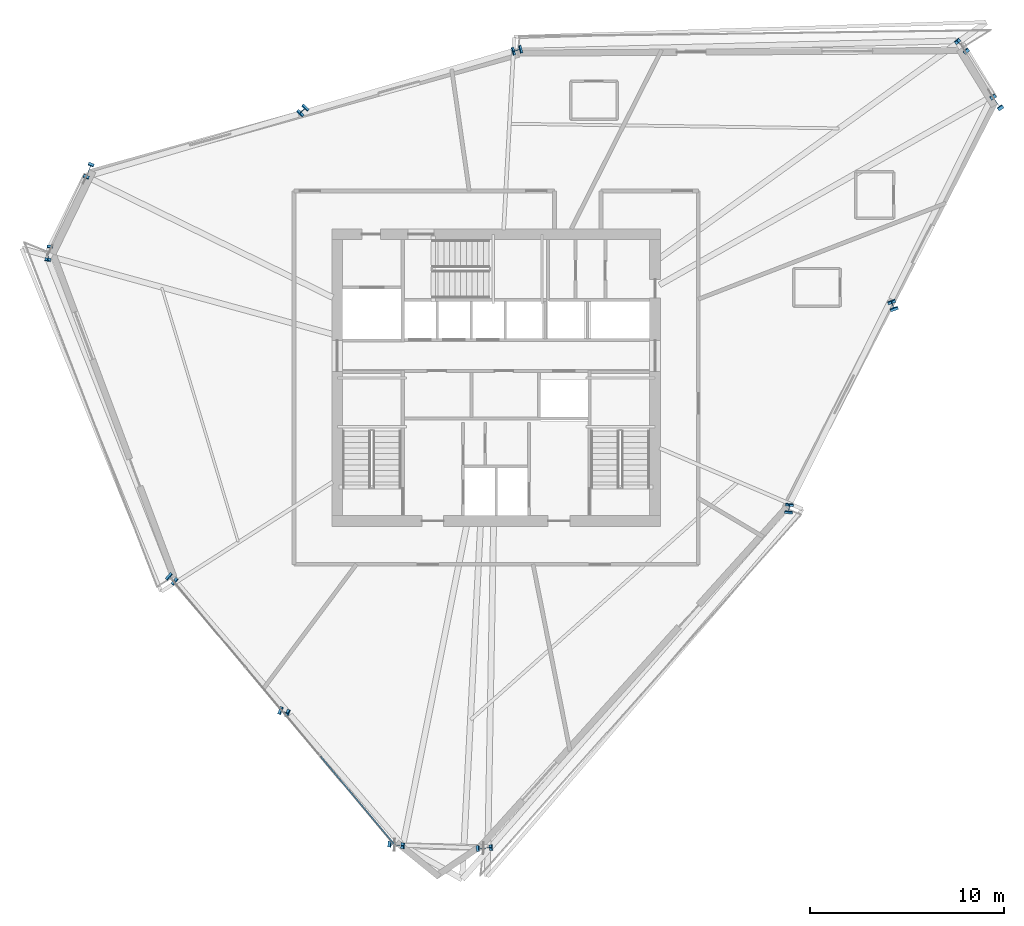
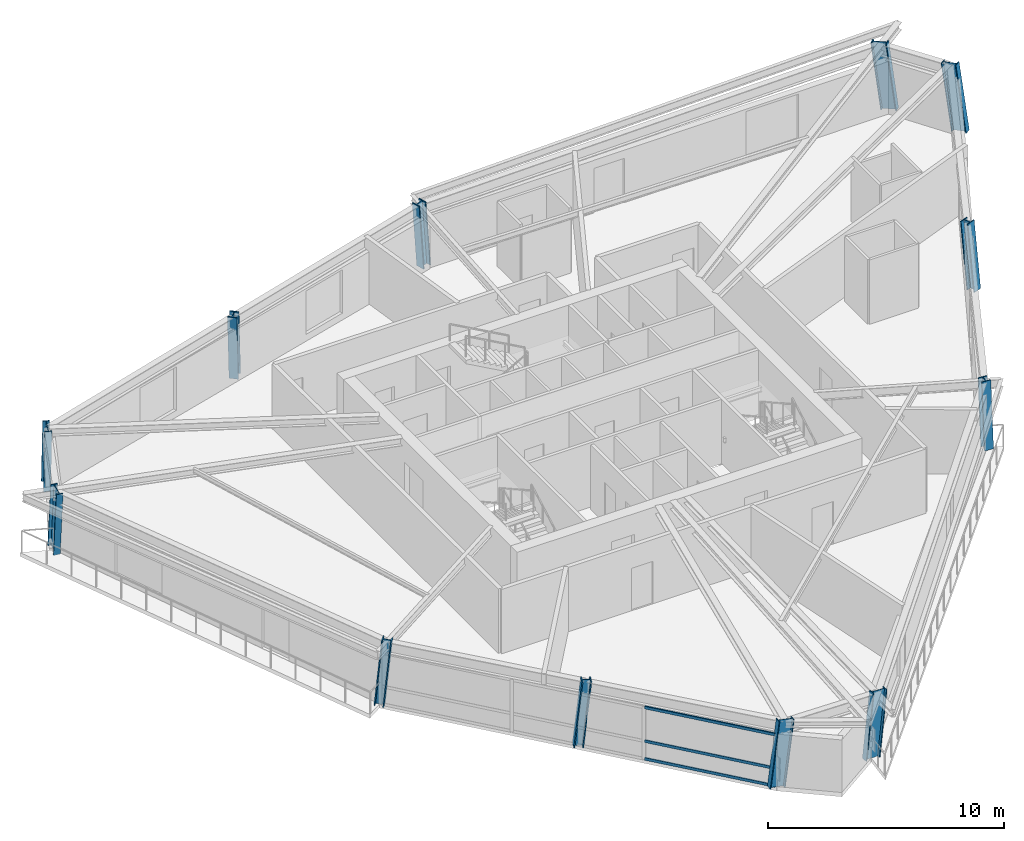
# One storey, part 1 of 15: 12 columns, 3 members, 1 element without a shape of its own.
"""IFC4 building model written with IfcOpenShell, lengths in metres."""

from ifc_helpers import new_model, si_unit, direction, frame, origin, origin_2d, place, context, subcontext, project, spatial, hollow_rectangle, i_section, extrude, source, transform, mapped, material, material_profile, profile_set, type_object, element, aggregate, save


model = new_model("IFC4")

# Units and contexts
model_context = context("Model", 3, precision=1e-05, world=origin(), true_north=direction((0.0, 1.0)))
body_context = subcontext(model_context, "Body", "Model", "MODEL_VIEW")
ifc_project = project(units=[si_unit("LENGTHUNIT", "METRE"), si_unit("AREAUNIT", "SQUARE_METRE"), si_unit("VOLUMEUNIT", "CUBIC_METRE"), si_unit("PLANEANGLEUNIT", "RADIAN"), si_unit("MASSUNIT", "GRAM", prefix="KILO")], contexts=[model_context])

# Site, building, storey
site_placement = place(None, origin())
site = spatial("IfcSite", under=ifc_project, at=site_placement, CompositionType="ELEMENT")
building_placement = place(site_placement, origin())
building = spatial("IfcBuilding", under=site, at=building_placement, Name="Olszyna Solenne Hotel", CompositionType="ELEMENT")
storey_placement = place(building_placement, frame((0.0, 0.0, 164.35009765625)))
storey = spatial("IfcBuildingStorey", under=building, at=storey_placement, Name="L43", CompositionType="ELEMENT", Elevation=164.35009765625)

# Columns
ifc_material_1 = material(Name="Steel S460M", Category="steel")
ifc_material_profile_1 = material_profile(ifc_material_1, i_section(OverallWidth=0.303955078125, OverallDepth=0.716064453125, WebThickness=0.02099609375, FlangeThickness=0.0400390625, at=origin_2d()), Name="HEM 700", Category="load-bearing")
ifc_profile_set_1 = profile_set([ifc_material_profile_1], Name="Steel S460M")
column_type_1 = type_object("IfcColumnType", Name="COL-K2", PredefinedType="COLUMN", material=ifc_profile_set_1)
shared_shape_1 = source(origin(), body_context, "Body", "SweptSolid", [
    extrude(i_section(OverallWidth=0.303955078125, OverallDepth=0.716064453125, WebThickness=0.02099609375, FlangeThickness=0.0400390625, at=origin_2d()), origin(), (0.0, 0.0, 1.0), 3.404296875),
])
column_1_placement = place(storey_placement, frame((37.331787109375, 2.393310546875, 0.0), z_axis=(0.105924766098, 0.007673628959, 0.994344537545), x_axis=(-0.07225478952, 0.997386206738, 0.0)))
element("IfcColumn", 1, at=column_1_placement, inside=storey, type_object=column_type_1, Name="Perimeter framed-tube column COL-K2 C-L43-10", PredefinedType="COLUMN", context=body_context, shape_type="MappedRepresentation", body=[
    mapped(shared_shape_1, transform((0.0, 0.0, 0.0), x_axis=(1.0, 0.0, 0.0), y_axis=(0.0, 1.0, 0.0), z_axis=(0.0, 0.0, 1.0), scale=1.0)),
])
shared_shape_2 = source(origin(), body_context, "Body", "SweptSolid", [
    extrude(i_section(OverallWidth=0.303955078125, OverallDepth=0.716064453125, WebThickness=0.02099609375, FlangeThickness=0.0400390625, at=origin_2d()), origin(), (0.0, 0.0, 1.0), 3.4189453125),
])
column_2_placement = place(storey_placement, frame((63.79833984375, 40.6865234375, 0.0), z_axis=(-0.079478787874, 0.115754820435, 0.990092896563), x_axis=(-0.824383065971, -0.566032296376, 0.0)))
element("IfcColumn", 2, at=column_2_placement, inside=storey, type_object=column_type_1, Name="Perimeter framed-tube column COL-K2 C-L43-01", PredefinedType="COLUMN", context=body_context, shape_type="MappedRepresentation", body=[
    mapped(shared_shape_2, transform((0.0, 0.0, 0.0), x_axis=(1.0, 0.0, 0.0), y_axis=(0.0, 1.0, 0.0), z_axis=(0.0, 0.0, 1.0), scale=1.0)),
])
shared_shape_3 = source(origin(), body_context, "Body", "SweptSolid", [
    extrude(i_section(OverallWidth=0.303955078125, OverallDepth=0.716064453125, WebThickness=0.02099609375, FlangeThickness=0.0400390625, at=origin_2d()), origin(), (0.0, 0.0, 1.0), 3.41455078125),
])
column_3_placement = place(storey_placement, frame((62.010986328125, 43.585693359375, 0.0), z_axis=(-0.086804146839, 0.098101556395, 0.991383439807), x_axis=(-0.748913206075, -0.662668099253, 0.0)))
element("IfcColumn", 3, at=column_3_placement, inside=storey, type_object=column_type_1, Name="Perimeter framed-tube column COL-K2 C-L43-02", PredefinedType="COLUMN", context=body_context, shape_type="MappedRepresentation", body=[
    mapped(shared_shape_3, transform((0.0, 0.0, 0.0), x_axis=(1.0, 0.0, 0.0), y_axis=(0.0, 1.0, 0.0), z_axis=(0.0, 0.0, 1.0), scale=1.0)),
])
ifc_material_profile_2 = material_profile(ifc_material_1, i_section(OverallWidth=0.412109375, OverallDepth=0.43505859375, WebThickness=0.031494140625, FlangeThickness=0.050048828125, at=origin_2d()), Name="HD 400x463", Category="load-bearing")
ifc_profile_set_2 = profile_set([ifc_material_profile_2], Name="Steel S460M")
column_type_2 = type_object("IfcColumnType", Name="COL-T3", PredefinedType="COLUMN", material=ifc_profile_set_2)
shared_shape_4 = source(origin(), body_context, "Body", "SweptSolid", [
    extrude(i_section(OverallWidth=0.412109375, OverallDepth=0.43505859375, WebThickness=0.031494140625, FlangeThickness=0.050048828125, at=origin_2d()), origin(), (0.0, 0.0, 1.0), 3.395751953125),
])
column_4_placement = place(storey_placement, frame((39.11865234375, 43.451904296875, 0.0), z_axis=(-0.076712698826, -0.020921645134, 0.996833710608), x_axis=(0.263117405792, -0.964763821238, 0.0)))
element("IfcColumn", 4, at=column_4_placement, inside=storey, type_object=column_type_2, Name="Perimeter framed-tube column COL-T3 C-L43-03", PredefinedType="COLUMN", context=body_context, shape_type="MappedRepresentation", body=[
    mapped(shared_shape_4, transform((0.0, 0.0, 0.0), x_axis=(1.0, 0.0, 0.0), y_axis=(0.0, 1.0, 0.0), z_axis=(0.0, 0.0, 1.0), scale=1.0)),
])
shared_shape_5 = source(origin(), body_context, "Body", "SweptSolid", [
    extrude(i_section(OverallWidth=0.303955078125, OverallDepth=0.716064453125, WebThickness=0.02099609375, FlangeThickness=0.0400390625, at=origin_2d()), origin(), (0.0, 0.0, 1.0), 3.4033203125),
])
column_5_placement = place(storey_placement, frame((15.00439453125, 33.060302734375, 0.0), z_axis=(-0.016571563289, -0.101940222659, 0.994652489211), x_axis=(0.987043110431, -0.160455283962, 0.0)))
element("IfcColumn", 5, at=column_5_placement, inside=storey, type_object=column_type_1, Name="Perimeter framed-tube column COL-K2 C-L43-06", PredefinedType="COLUMN", context=body_context, shape_type="MappedRepresentation", body=[
    mapped(shared_shape_5, transform((0.0, 0.0, 0.0), x_axis=(1.0, 0.0, 0.0), y_axis=(0.0, 1.0, 0.0), z_axis=(0.0, 0.0, 1.0), scale=1.0)),
])
shared_shape_6 = source(origin(), body_context, "Body", "SweptSolid", [
    extrude(i_section(OverallWidth=0.412109375, OverallDepth=0.43505859375, WebThickness=0.031494140625, FlangeThickness=0.050048828125, at=origin_2d()), origin(), (0.0, 0.0, 1.0), 3.4033203125),
])
column_6_placement = place(storey_placement, frame((27.031494140625, 9.426513671875, 0.0), z_axis=(0.096057636835, -0.037949581692, 0.994652079702), x_axis=(0.367435364089, 0.930049059575, 0.0)))
element("IfcColumn", 6, at=column_6_placement, inside=storey, type_object=column_type_2, Name="Perimeter framed-tube column COL-T3 C-L43-08", PredefinedType="COLUMN", context=body_context, shape_type="MappedRepresentation", body=[
    mapped(shared_shape_6, transform((0.0, 0.0, 0.0), x_axis=(1.0, 0.0, 0.0), y_axis=(0.0, 1.0, 0.0), z_axis=(0.0, 0.0, 1.0), scale=1.0)),
])
shared_shape_7 = source(origin(), body_context, "Body", "SweptSolid", [
    extrude(i_section(OverallWidth=0.303955078125, OverallDepth=0.716064453125, WebThickness=0.02099609375, FlangeThickness=0.0400390625, at=origin_2d()), origin(), (0.0, 0.0, 1.0), 3.41015625),
])
column_7_placement = place(storey_placement, frame((32.7880859375, 2.56787109375, 0.0), z_axis=(0.12020691326, -0.013602926456, 0.99265565953), x_axis=(0.112444915046, 0.993657959803, 0.0)))
element("IfcColumn", 7, at=column_7_placement, inside=storey, type_object=column_type_1, Name="Perimeter framed-tube column COL-K2 C-L43-09", PredefinedType="COLUMN", context=body_context, shape_type="MappedRepresentation", body=[
    mapped(shared_shape_7, transform((0.0, 0.0, 0.0), x_axis=(1.0, 0.0, 0.0), y_axis=(0.0, 1.0, 0.0), z_axis=(0.0, 0.0, 1.0), scale=1.0)),
])
shared_shape_8 = source(origin(), body_context, "Body", "SweptSolid", [
    extrude(i_section(OverallWidth=0.412109375, OverallDepth=0.43505859375, WebThickness=0.031494140625, FlangeThickness=0.050048828125, at=origin_2d()), origin(), (0.0, 0.0, 1.0), 3.39794921875),
])
column_8_placement = place(storey_placement, frame((28.09228515625, 40.379150390625, 0.0), z_axis=(-0.05977715381, -0.063872463627, 0.996166150937), x_axis=(0.730126007846, -0.683312529277, 0.0)))
element("IfcColumn", 8, at=column_8_placement, inside=storey, type_object=column_type_2, Name="Perimeter framed-tube column COL-T3 C-L43-04", PredefinedType="COLUMN", context=body_context, shape_type="MappedRepresentation", body=[
    mapped(shared_shape_8, transform((0.0, 0.0, 0.0), x_axis=(1.0, 0.0, 0.0), y_axis=(0.0, 1.0, 0.0), z_axis=(0.0, 0.0, 1.0), scale=1.0)),
])
shared_shape_9 = source(origin(), body_context, "Body", "SweptSolid", [
    extrude(i_section(OverallWidth=0.303955078125, OverallDepth=0.716064453125, WebThickness=0.02099609375, FlangeThickness=0.0400390625, at=origin_2d()), origin(), (0.0, 0.0, 1.0), 3.407470703125),
])
column_9_placement = place(storey_placement, frame((17.066162109375, 37.306396484375, 0.0), z_axis=(-0.042773035292, -0.106610178416, 0.993380459497), x_axis=(0.928089052534, -0.372358309384, 0.0)))
element("IfcColumn", 9, at=column_9_placement, inside=storey, type_object=column_type_1, Name="Perimeter framed-tube column COL-K2 C-L43-05", PredefinedType="COLUMN", context=body_context, shape_type="MappedRepresentation", body=[
    mapped(shared_shape_9, transform((0.0, 0.0, 0.0), x_axis=(1.0, 0.0, 0.0), y_axis=(0.0, 1.0, 0.0), z_axis=(0.0, 0.0, 1.0), scale=1.0)),
])
shared_shape_10 = source(origin(), body_context, "Body", "SweptSolid", [
    extrude(i_section(OverallWidth=0.412109375, OverallDepth=0.43505859375, WebThickness=0.031494140625, FlangeThickness=0.050048828125, at=origin_2d()), origin(), (0.0, 0.0, 1.0), 3.400390625),
])
column_10_placement = place(storey_placement, frame((21.274658203125, 16.284912109375, 0.0), z_axis=(0.071798002958, -0.062177070562, 0.995479311019), x_axis=(0.654642697098, 0.755938449304, 0.0)))
element("IfcColumn", 10, at=column_10_placement, inside=storey, type_object=column_type_2, Name="Perimeter framed-tube column COL-T3 C-L43-07", PredefinedType="COLUMN", context=body_context, shape_type="MappedRepresentation", body=[
    mapped(shared_shape_10, transform((0.0, 0.0, 0.0), x_axis=(1.0, 0.0, 0.0), y_axis=(0.0, 1.0, 0.0), z_axis=(0.0, 0.0, 1.0), scale=1.0)),
])
shared_shape_11 = source(origin(), body_context, "Body", "SweptSolid", [
    extrude(i_section(OverallWidth=0.412109375, OverallDepth=0.43505859375, WebThickness=0.031494140625, FlangeThickness=0.050048828125, at=origin_2d()), origin(), (0.0, 0.0, 1.0), 3.396484375),
])
column_11_placement = place(storey_placement, frame((53.0615234375, 19.814453125, 0.0), z_axis=(0.008697331345, 0.081941799451, 0.99659916613), x_axis=(-0.994414264622, 0.105547478964, 0.0)))
element("IfcColumn", 11, at=column_11_placement, inside=storey, type_object=column_type_2, Name="Perimeter framed-tube column COL-T3 C-L43-11", PredefinedType="COLUMN", context=body_context, shape_type="MappedRepresentation", body=[
    mapped(shared_shape_11, transform((0.0, 0.0, 0.0), x_axis=(1.0, 0.0, 0.0), y_axis=(0.0, 1.0, 0.0), z_axis=(0.0, 0.0, 1.0), scale=1.0)),
])
shared_shape_12 = source(origin(), body_context, "Body", "SweptSolid", [
    extrude(i_section(OverallWidth=0.412109375, OverallDepth=0.43505859375, WebThickness=0.031494140625, FlangeThickness=0.050048828125, at=origin_2d()), origin(), (0.0, 0.0, 1.0), 3.40380859375),
])
column_12_placement = place(storey_placement, frame((58.429931640625, 30.25048828125, 0.0), z_axis=(-0.035575108615, 0.09897913284, 0.994453389008), x_axis=(-0.941061150678, -0.338236471548, 0.0)))
element("IfcColumn", 12, at=column_12_placement, inside=storey, type_object=column_type_2, Name="Perimeter framed-tube column COL-T3 C-L43-12", PredefinedType="COLUMN", context=body_context, shape_type="MappedRepresentation", body=[
    mapped(shared_shape_12, transform((0.0, 0.0, 0.0), x_axis=(1.0, 0.0, 0.0), y_axis=(0.0, 1.0, 0.0), z_axis=(0.0, 0.0, 1.0), scale=1.0)),
])

# Curtain wall, members
ifc_material_2 = material(Name="Anodised bronze aluminium", Category="aluminium")
curtain_wall_type = type_object("IfcCurtainWallType", Name="CW-SYS-4", PredefinedType="NOTDEFINED", material=ifc_material_2)
curtain_wall_placement = place(storey_placement, origin())
curtain_wall = element("IfcCurtainWall", 13, at=curtain_wall_placement, inside=storey, type_object=curtain_wall_type, Name="Unitised curtain wall CW-SYS-4 CW-L43-01", PredefinedType="NOTDEFINED")
ifc_material_profile_3 = material_profile(ifc_material_2, hollow_rectangle(XDim=0.06494140625, YDim=0.139892578125, WallThickness=0.00390625, at=origin_2d()), Name="TRAN 140x65x4", Category="load-bearing")
ifc_profile_set_3 = profile_set([ifc_material_profile_3], Name="Anodised bronze aluminium")
member_type = type_object("IfcMemberType", Name="CW-T2", PredefinedType="USERDEFINED", material=ifc_profile_set_3)
shared_shape_13 = source(origin(), body_context, "Body", "SweptSolid", [
    extrude(hollow_rectangle(XDim=0.06494140625, YDim=0.139892578125, WallThickness=0.00390625, at=origin_2d()), origin(), (0.0, 0.0, 1.0), 5.871826171875),
])
member_1_placement = place(storey_placement, frame((28.97119140625, 7.115234375, 0.032470703125), z_axis=(0.642912195208, -0.765939886188, 0.0), x_axis=(0.765939886188, 0.642912195208, 0.0)))
member_1 = element("IfcMember", 14, at=member_1_placement, type_object=member_type, Name="Curtain-wall transom CW-T2 CT-L43-01-07", ObjectType="TRANSOM", PredefinedType="USERDEFINED", context=body_context, shape_type="MappedRepresentation", body=[
    mapped(shared_shape_13, transform((0.0, 0.0, 0.0), x_axis=(1.0, 0.0, 0.0), y_axis=(0.0, 1.0, 0.0), z_axis=(0.0, 0.0, 1.0), scale=1.0)),
])
member_2_placement = place(storey_placement, frame((28.97119140625, 7.115234375, 0.949951171875), z_axis=(0.642912195208, -0.765939886188, 0.0), x_axis=(0.765939886188, 0.642912195208, 0.0)))
member_2 = element("IfcMember", 15, at=member_2_placement, type_object=member_type, Name="Curtain-wall transom CW-T2 CT-L43-01-08", ObjectType="TRANSOM", PredefinedType="USERDEFINED", context=body_context, shape_type="MappedRepresentation", body=[
    mapped(shared_shape_13, transform((0.0, 0.0, 0.0), x_axis=(1.0, 0.0, 0.0), y_axis=(0.0, 1.0, 0.0), z_axis=(0.0, 0.0, 1.0), scale=1.0)),
])
member_3_placement = place(storey_placement, frame((28.97119140625, 7.115234375, 2.689453125), z_axis=(0.642912195208, -0.765939886188, 0.0), x_axis=(0.765939886188, 0.642912195208, 0.0)))
member_3 = element("IfcMember", 16, at=member_3_placement, type_object=member_type, Name="Curtain-wall transom CW-T2 CT-L43-01-09", ObjectType="TRANSOM", PredefinedType="USERDEFINED", context=body_context, shape_type="MappedRepresentation", body=[
    mapped(shared_shape_13, transform((0.0, 0.0, 0.0), x_axis=(1.0, 0.0, 0.0), y_axis=(0.0, 1.0, 0.0), z_axis=(0.0, 0.0, 1.0), scale=1.0)),
])
aggregate(curtain_wall, [member_1, member_2, member_3])

save(model, "model.ifc")
